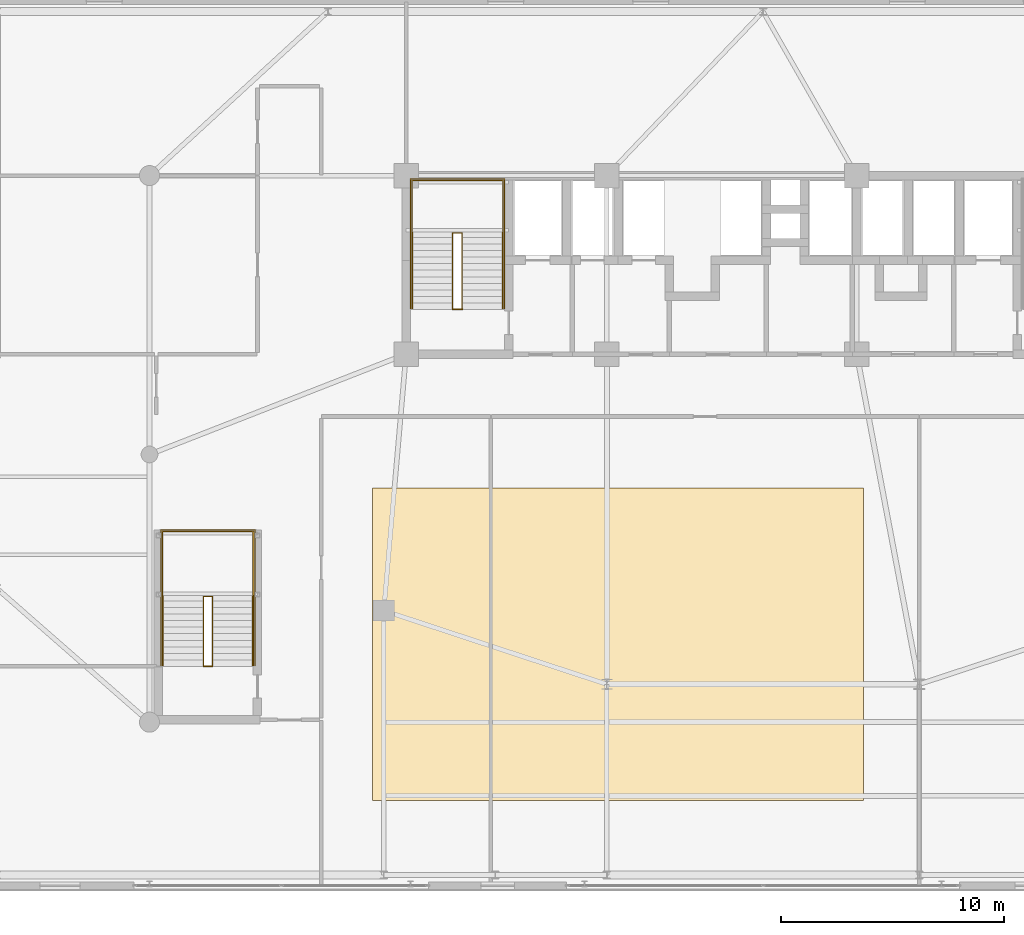
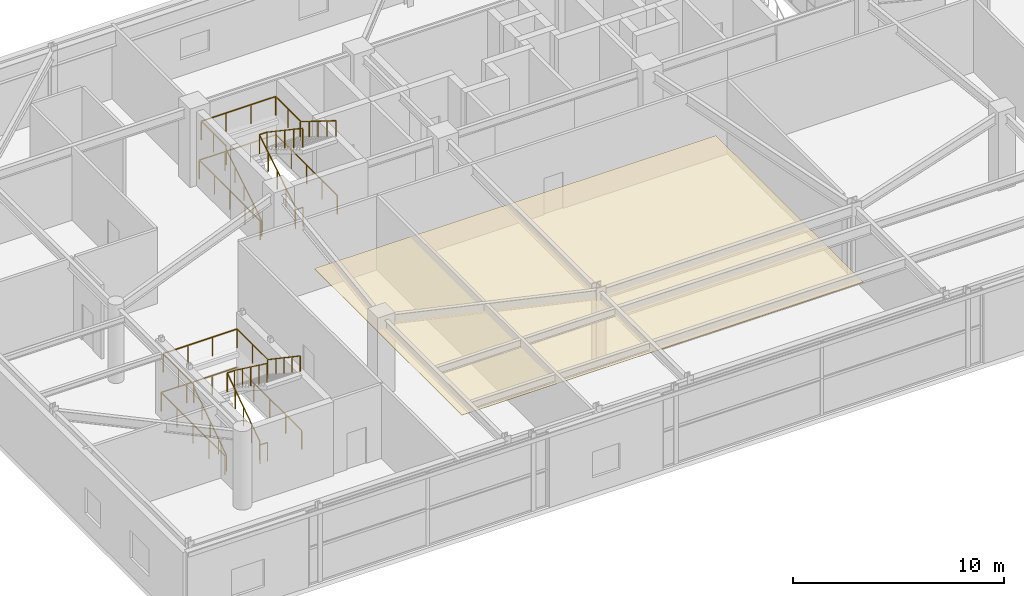
# One storey, part 24 of 26: 12 railings, 1 covering.
"""IFC4 building model written with IfcOpenShell, lengths in metres."""

from ifc_helpers import new_model, si_unit, direction, frame, origin, origin_2d, place, context, subcontext, project, spatial, rectangle, extrude, source, transform, mapped, material, layer, layer_set, type_object, element, save


model = new_model("IFC4")

# Units and contexts
model_context = context("Model", 3, precision=1e-05, world=origin(), true_north=direction((0.0, 1.0)))
body_context = subcontext(model_context, "Body", "Model", "MODEL_VIEW")
ifc_project = project(units=[si_unit("LENGTHUNIT", "METRE"), si_unit("AREAUNIT", "SQUARE_METRE"), si_unit("VOLUMEUNIT", "CUBIC_METRE"), si_unit("PLANEANGLEUNIT", "RADIAN"), si_unit("MASSUNIT", "GRAM", prefix="KILO")], contexts=[model_context])

# Site, building, storey
site_placement = place(None, origin())
site = spatial("IfcSite", under=ifc_project, at=site_placement, CompositionType="ELEMENT")
building_placement = place(site_placement, origin())
building = spatial("IfcBuilding", under=site, at=building_placement, Name="Taldren Reach Tower", CompositionType="ELEMENT")
storey_placement = place(building_placement, frame((0.0, 0.0, 8.39990234375)))
storey = spatial("IfcBuildingStorey", under=building, at=storey_placement, Name="L02", CompositionType="ELEMENT", Elevation=8.39990234375)

# Railings
ifc_material_1 = material(Name="Steel Gr 350 (C350L0)", Category="steel")
ifc_layer_1 = layer(ifc_material_1, 0.050048828125)
ifc_layer_set_1 = layer_set([ifc_layer_1], Name="Steel Gr 350 (C350L0)")
railing_type_1 = type_object("IfcRailingType", Name="RL-STAIR-GR", PredefinedType="GUARDRAIL", material=ifc_layer_set_1)
railing_1_placement = place(storey_placement, frame((19.260009765625, 29.429931640625, 2.275146484375)))
element("IfcRailing", 1, at=railing_1_placement, inside=storey, type_object=railing_type_1, Name="Stair half-landing perimeter guard ST1-L02", PredefinedType="GUARDRAIL", context=body_context, shape_type="SweptSolid", body=[
    extrude(rectangle(XDim=0.047852, YDim=0.047852, at=origin_2d()), frame((0.0, 0.0, 1.09619140625), z_axis=(0.0, 1.0, 0.0), x_axis=(-1.0, 0.0, 0.0)), (0.0, 0.0, 1.0), 2.35009765625),
    extrude(rectangle(XDim=0.047852, YDim=0.047852, at=origin_2d()), frame((0.0, 2.35009765625, 1.09619140625), z_axis=(1.0, 0.0, 0.0), x_axis=(0.0, 1.0, 0.0)), (0.0, 0.0, 1.0), 4.080078125),
    extrude(rectangle(XDim=0.047852, YDim=0.047852, at=origin_2d()), frame((4.080078125, 2.35009765625, 1.09619140625), z_axis=(0.0, -1.0, 0.0), x_axis=(1.0, 0.0, 0.0)), (0.0, 0.0, 1.0), 2.35009765625),
    extrude(rectangle(XDim=0.041992, YDim=0.041992, at=origin_2d()), origin(), (0.0, 0.0, 1.0), 1.072021484375),
    extrude(rectangle(XDim=0.041992, YDim=0.041992, at=origin_2d()), frame((0.0, 1.175048828125, 0.0)), (0.0, 0.0, 1.0), 1.072021484375),
    extrude(rectangle(XDim=0.041992, YDim=0.041992, at=origin_2d()), frame((0.0, 2.35009765625, 0.0)), (0.0, 0.0, 1.0), 1.072021484375),
    extrude(rectangle(XDim=0.041992, YDim=0.041992, at=origin_2d()), frame((1.360107421875, 2.35009765625, 0.0)), (0.0, 0.0, 1.0), 1.072021484375),
    extrude(rectangle(XDim=0.041992, YDim=0.041992, at=origin_2d()), frame((2.719970703125, 2.35009765625, 0.0)), (0.0, 0.0, 1.0), 1.072021484375),
    extrude(rectangle(XDim=0.041992, YDim=0.041992, at=origin_2d()), frame((4.080078125, 2.35009765625, 0.0)), (0.0, 0.0, 1.0), 1.072021484375),
    extrude(rectangle(XDim=0.041992, YDim=0.041992, at=origin_2d()), frame((4.080078125, 1.175048828125, 0.0)), (0.0, 0.0, 1.0), 1.072021484375),
    extrude(rectangle(XDim=0.041992, YDim=0.041992, at=origin_2d()), frame((4.080078125, 0.0, 0.0)), (0.0, 0.0, 1.0), 1.072021484375),
])
railing_2_placement = place(storey_placement, frame((21.090087890625, 26.050048828125, 0.175048828125)))
element("IfcRailing", 2, at=railing_2_placement, inside=storey, type_object=railing_type_1, Name="Stairwell inner guard ST1-L02", PredefinedType="GUARDRAIL", context=body_context, shape_type="SweptSolid", body=[
    extrude(rectangle(XDim=0.047852, YDim=0.047852, at=origin_2d()), frame((0.0, 0.0, 1.09619140625), z_axis=(0.0, 0.849387911102, 0.527769056003), x_axis=(-1.0, 0.0, 0.0)), (0.0, 0.0, 1.0), 3.979248046875),
    extrude(rectangle(XDim=0.047852, YDim=0.047852, at=origin_2d()), frame((0.0, 3.3798828125, 3.1962890625), z_axis=(1.0, 0.0, 0.0), x_axis=(0.0, 1.0, 0.0)), (0.0, 0.0, 1.0), 0.419921875),
    extrude(rectangle(XDim=0.047852, YDim=0.047852, at=origin_2d()), frame((0.419921875, 3.3798828125, 3.1962890625), z_axis=(0.0, -0.829589882859, 0.558373196221), x_axis=(1.0, 0.0, 0.0)), (0.0, 0.0, 1.0), 4.07421875),
    extrude(rectangle(XDim=0.041992, YDim=0.041992, at=origin_2d()), origin(), (0.0, 0.0, 1.0), 1.072021484375),
    extrude(rectangle(XDim=0.041992, YDim=0.041992, at=origin_2d()), frame((0.0, 0.844970703125, 0.52490234375)), (0.0, 0.0, 1.0), 1.072021484375),
    extrude(rectangle(XDim=0.041992, YDim=0.041992, at=origin_2d()), frame((0.0, 1.68994140625, 1.050048828125)), (0.0, 0.0, 1.0), 1.072021484375),
    extrude(rectangle(XDim=0.041992, YDim=0.041992, at=origin_2d()), frame((0.0, 2.534912109375, 1.5751953125)), (0.0, 0.0, 1.0), 1.072021484375),
    extrude(rectangle(XDim=0.041992, YDim=0.041992, at=origin_2d()), frame((0.0, 3.3798828125, 2.10009765625)), (0.0, 0.0, 1.0), 1.072021484375),
    extrude(rectangle(XDim=0.041992, YDim=0.041992, at=origin_2d()), frame((0.419921875, 3.3798828125, 2.10009765625)), (0.0, 0.0, 1.0), 1.072021484375),
    extrude(rectangle(XDim=0.041992, YDim=0.041992, at=origin_2d()), frame((0.419921875, 2.534912109375, 2.6689453125)), (0.0, 0.0, 1.0), 1.072021484375),
    extrude(rectangle(XDim=0.041992, YDim=0.041992, at=origin_2d()), frame((0.419921875, 1.68994140625, 3.237548828125)), (0.0, 0.0, 1.0), 1.072021484375),
    extrude(rectangle(XDim=0.041992, YDim=0.041992, at=origin_2d()), frame((0.419921875, 0.844970703125, 3.80615234375)), (0.0, 0.0, 1.0), 1.072021484375),
    extrude(rectangle(XDim=0.041992, YDim=0.041992, at=origin_2d()), frame((0.419921875, 0.0, 4.375)), (0.0, 0.0, 1.0), 1.072021484375),
])
railing_3_placement = place(storey_placement, frame((21.090087890625, 26.010009765625, 0.0)))
element("IfcRailing", 3, at=railing_3_placement, inside=storey, type_object=railing_type_1, Name="Stairwell landing slot guard ST1-L02", PredefinedType="GUARDRAIL", context=body_context, shape_type="SweptSolid", body=[
    extrude(rectangle(XDim=0.047852, YDim=0.047852, at=origin_2d()), frame((0.0, 0.0, 1.09619140625), z_axis=(1.0, 0.0, 0.0), x_axis=(0.0, 1.0, 0.0)), (0.0, 0.0, 1.0), 0.419921875),
    extrude(rectangle(XDim=0.041992, YDim=0.041992, at=origin_2d()), origin(), (0.0, 0.0, 1.0), 1.072021484375),
    extrude(rectangle(XDim=0.041992, YDim=0.041992, at=origin_2d()), frame((0.419921875, 0.0, 0.0)), (0.0, 0.0, 1.0), 1.072021484375),
])
railing_4_placement = place(storey_placement, frame((19.18994140625, 26.050048828125, 0.0)))
element("IfcRailing", 4, at=railing_4_placement, inside=storey, type_object=railing_type_1, Name="Stairwell floor opening guard ST1-L02", PredefinedType="GUARDRAIL", context=body_context, shape_type="SweptSolid", body=[
    extrude(rectangle(XDim=0.047852, YDim=0.047852, at=origin_2d()), frame((0.0, 0.0, 1.09619140625), z_axis=(0.0, 1.0, 0.0), x_axis=(-1.0, 0.0, 0.0)), (0.0, 0.0, 1.0), 5.800048828125),
    extrude(rectangle(XDim=0.047852, YDim=0.047852, at=origin_2d()), frame((0.0, 5.800048828125, 1.09619140625), z_axis=(1.0, 0.0, 0.0), x_axis=(0.0, 1.0, 0.0)), (0.0, 0.0, 1.0), 4.219970703125),
    extrude(rectangle(XDim=0.047852, YDim=0.047852, at=origin_2d()), frame((4.219970703125, 5.800048828125, 1.09619140625), z_axis=(0.0, -1.0, 0.0), x_axis=(1.0, 0.0, 0.0)), (0.0, 0.0, 1.0), 5.800048828125),
    extrude(rectangle(XDim=0.041992, YDim=0.041992, at=origin_2d()), origin(), (0.0, 0.0, 1.0), 1.072021484375),
    extrude(rectangle(XDim=0.041992, YDim=0.041992, at=origin_2d()), frame((0.0, 1.449951171875, 0.0)), (0.0, 0.0, 1.0), 1.072021484375),
    extrude(rectangle(XDim=0.041992, YDim=0.041992, at=origin_2d()), frame((0.0, 2.89990234375, 0.0)), (0.0, 0.0, 1.0), 1.072021484375),
    extrude(rectangle(XDim=0.041992, YDim=0.041992, at=origin_2d()), frame((0.0, 4.35009765625, 0.0)), (0.0, 0.0, 1.0), 1.072021484375),
    extrude(rectangle(XDim=0.041992, YDim=0.041992, at=origin_2d()), frame((0.0, 5.800048828125, 0.0)), (0.0, 0.0, 1.0), 1.072021484375),
    extrude(rectangle(XDim=0.041992, YDim=0.041992, at=origin_2d()), frame((1.40673828125, 5.800048828125, 0.0)), (0.0, 0.0, 1.0), 1.072021484375),
    extrude(rectangle(XDim=0.041992, YDim=0.041992, at=origin_2d()), frame((2.813232421875, 5.800048828125, 0.0)), (0.0, 0.0, 1.0), 1.072021484375),
    extrude(rectangle(XDim=0.041992, YDim=0.041992, at=origin_2d()), frame((4.219970703125, 5.800048828125, 0.0)), (0.0, 0.0, 1.0), 1.072021484375),
    extrude(rectangle(XDim=0.041992, YDim=0.041992, at=origin_2d()), frame((4.219970703125, 4.35009765625, 0.0)), (0.0, 0.0, 1.0), 1.072021484375),
    extrude(rectangle(XDim=0.041992, YDim=0.041992, at=origin_2d()), frame((4.219970703125, 2.89990234375, 0.0)), (0.0, 0.0, 1.0), 1.072021484375),
    extrude(rectangle(XDim=0.041992, YDim=0.041992, at=origin_2d()), frame((4.219970703125, 1.449951171875, 0.0)), (0.0, 0.0, 1.0), 1.072021484375),
    extrude(rectangle(XDim=0.041992, YDim=0.041992, at=origin_2d()), frame((4.219970703125, 0.0, 0.0)), (0.0, 0.0, 1.0), 1.072021484375),
])
railing_5_placement = place(storey_placement, frame((8.090087890625, 13.135009765625, 2.275146484375)))
element("IfcRailing", 5, at=railing_5_placement, inside=storey, type_object=railing_type_1, Name="Stair half-landing perimeter guard ST3-L02", PredefinedType="GUARDRAIL", context=body_context, shape_type="SweptSolid", body=[
    extrude(rectangle(XDim=0.047852, YDim=0.047852, at=origin_2d()), frame((0.0, 0.0, 1.09619140625), z_axis=(0.0, 1.0, 0.0), x_axis=(-1.0, 0.0, 0.0)), (0.0, 0.0, 1.0), 2.905029296875),
    extrude(rectangle(XDim=0.047852, YDim=0.047852, at=origin_2d()), frame((0.0, 2.905029296875, 1.09619140625), z_axis=(1.0, 0.0, 0.0), x_axis=(0.0, 1.0, 0.0)), (0.0, 0.0, 1.0), 4.059814453125),
    extrude(rectangle(XDim=0.047852, YDim=0.047852, at=origin_2d()), frame((4.059814453125, 2.905029296875, 1.09619140625), z_axis=(0.0, -1.0, 0.0), x_axis=(1.0, 0.0, 0.0)), (0.0, 0.0, 1.0), 2.905029296875),
    extrude(rectangle(XDim=0.041992, YDim=0.041992, at=origin_2d()), origin(), (0.0, 0.0, 1.0), 1.072021484375),
    extrude(rectangle(XDim=0.041992, YDim=0.041992, at=origin_2d()), frame((0.0, 1.45263671875, 0.0)), (0.0, 0.0, 1.0), 1.072021484375),
    extrude(rectangle(XDim=0.041992, YDim=0.041992, at=origin_2d()), frame((0.0, 2.905029296875, 0.0)), (0.0, 0.0, 1.0), 1.072021484375),
    extrude(rectangle(XDim=0.041992, YDim=0.041992, at=origin_2d()), frame((1.353271484375, 2.905029296875, 0.0)), (0.0, 0.0, 1.0), 1.072021484375),
    extrude(rectangle(XDim=0.041992, YDim=0.041992, at=origin_2d()), frame((2.70654296875, 2.905029296875, 0.0)), (0.0, 0.0, 1.0), 1.072021484375),
    extrude(rectangle(XDim=0.041992, YDim=0.041992, at=origin_2d()), frame((4.059814453125, 2.905029296875, 0.0)), (0.0, 0.0, 1.0), 1.072021484375),
    extrude(rectangle(XDim=0.041992, YDim=0.041992, at=origin_2d()), frame((4.059814453125, 1.45263671875, 0.0)), (0.0, 0.0, 1.0), 1.072021484375),
    extrude(rectangle(XDim=0.041992, YDim=0.041992, at=origin_2d()), frame((4.059814453125, 0.0, 0.0)), (0.0, 0.0, 1.0), 1.072021484375),
])
railing_6_placement = place(storey_placement, frame((9.919921875, 10.050048828125, 0.189697265625)))
element("IfcRailing", 6, at=railing_6_placement, inside=storey, type_object=railing_type_1, Name="Stairwell inner guard ST3-L02", PredefinedType="GUARDRAIL", context=body_context, shape_type="SweptSolid", body=[
    extrude(rectangle(XDim=0.047852, YDim=0.047852, at=origin_2d()), frame((0.0, 0.0, 1.09619140625), z_axis=(0.0, 0.828462357703, 0.560044749881), x_axis=(-1.0, 0.0, 0.0)), (0.0, 0.0, 1.0), 3.7236328125),
    extrude(rectangle(XDim=0.047852, YDim=0.047852, at=origin_2d()), frame((0.0, 3.0849609375, 3.181640625), z_axis=(1.0, 0.0, 0.0), x_axis=(0.0, 1.0, 0.0)), (0.0, 0.0, 1.0), 0.400146484375),
    extrude(rectangle(XDim=0.047852, YDim=0.047852, at=origin_2d()), frame((0.400146484375, 3.0849609375, 3.181640625), z_axis=(0.0, -0.804834854372, 0.59349882661), x_axis=(1.0, 0.0, 0.0)), (0.0, 0.0, 1.0), 3.8330078125),
    extrude(rectangle(XDim=0.041992, YDim=0.041992, at=origin_2d()), origin(), (0.0, 0.0, 1.0), 1.072021484375),
    extrude(rectangle(XDim=0.041992, YDim=0.041992, at=origin_2d()), frame((0.0, 0.771240234375, 0.521484375)), (0.0, 0.0, 1.0), 1.072021484375),
    extrude(rectangle(XDim=0.041992, YDim=0.041992, at=origin_2d()), frame((0.0, 1.54248046875, 1.042724609375)), (0.0, 0.0, 1.0), 1.072021484375),
    extrude(rectangle(XDim=0.041992, YDim=0.041992, at=origin_2d()), frame((0.0, 2.313720703125, 1.56396484375)), (0.0, 0.0, 1.0), 1.072021484375),
    extrude(rectangle(XDim=0.041992, YDim=0.041992, at=origin_2d()), frame((0.0, 3.0849609375, 2.08544921875)), (0.0, 0.0, 1.0), 1.072021484375),
    extrude(rectangle(XDim=0.041992, YDim=0.041992, at=origin_2d()), frame((0.400146484375, 3.0849609375, 2.08544921875)), (0.0, 0.0, 1.0), 1.072021484375),
    extrude(rectangle(XDim=0.041992, YDim=0.041992, at=origin_2d()), frame((0.400146484375, 2.313720703125, 2.654296875)), (0.0, 0.0, 1.0), 1.072021484375),
    extrude(rectangle(XDim=0.041992, YDim=0.041992, at=origin_2d()), frame((0.400146484375, 1.54248046875, 3.222900390625)), (0.0, 0.0, 1.0), 1.072021484375),
    extrude(rectangle(XDim=0.041992, YDim=0.041992, at=origin_2d()), frame((0.400146484375, 0.771240234375, 3.79150390625)), (0.0, 0.0, 1.0), 1.072021484375),
    extrude(rectangle(XDim=0.041992, YDim=0.041992, at=origin_2d()), frame((0.400146484375, 0.0, 4.3603515625)), (0.0, 0.0, 1.0), 1.072021484375),
])
railing_7_placement = place(storey_placement, frame((9.919921875, 10.010009765625, 0.0)))
element("IfcRailing", 7, at=railing_7_placement, inside=storey, type_object=railing_type_1, Name="Stairwell landing slot guard ST3-L02", PredefinedType="GUARDRAIL", context=body_context, shape_type="SweptSolid", body=[
    extrude(rectangle(XDim=0.047852, YDim=0.047852, at=origin_2d()), frame((0.0, 0.0, 1.09619140625), z_axis=(1.0, 0.0, 0.0), x_axis=(0.0, 1.0, 0.0)), (0.0, 0.0, 1.0), 0.400146484375),
    extrude(rectangle(XDim=0.041992, YDim=0.041992, at=origin_2d()), origin(), (0.0, 0.0, 1.0), 1.072021484375),
    extrude(rectangle(XDim=0.041992, YDim=0.041992, at=origin_2d()), frame((0.400146484375, 0.0, 0.0)), (0.0, 0.0, 1.0), 1.072021484375),
])
railing_8_placement = place(storey_placement, frame((8.02001953125, 10.050048828125, 0.0)))
element("IfcRailing", 8, at=railing_8_placement, inside=storey, type_object=railing_type_1, Name="Stairwell floor opening guard ST3-L02", PredefinedType="GUARDRAIL", context=body_context, shape_type="SweptSolid", body=[
    extrude(rectangle(XDim=0.047852, YDim=0.047852, at=origin_2d()), frame((0.0, 0.0, 1.09619140625), z_axis=(0.0, 1.0, 0.0), x_axis=(-1.0, 0.0, 0.0)), (0.0, 0.0, 1.0), 6.06005859375),
    extrude(rectangle(XDim=0.047852, YDim=0.047852, at=origin_2d()), frame((0.0, 6.06005859375, 1.09619140625), z_axis=(1.0, 0.0, 0.0), x_axis=(0.0, 1.0, 0.0)), (0.0, 0.0, 1.0), 4.199951171875),
    extrude(rectangle(XDim=0.047852, YDim=0.047852, at=origin_2d()), frame((4.199951171875, 6.06005859375, 1.09619140625), z_axis=(0.0, -1.0, 0.0), x_axis=(1.0, 0.0, 0.0)), (0.0, 0.0, 1.0), 6.06005859375),
    extrude(rectangle(XDim=0.041992, YDim=0.041992, at=origin_2d()), origin(), (0.0, 0.0, 1.0), 1.072021484375),
    extrude(rectangle(XDim=0.041992, YDim=0.041992, at=origin_2d()), frame((0.0, 1.51513671875, 0.0)), (0.0, 0.0, 1.0), 1.072021484375),
    extrude(rectangle(XDim=0.041992, YDim=0.041992, at=origin_2d()), frame((0.0, 3.030029296875, 0.0)), (0.0, 0.0, 1.0), 1.072021484375),
    extrude(rectangle(XDim=0.041992, YDim=0.041992, at=origin_2d()), frame((0.0, 4.544921875, 0.0)), (0.0, 0.0, 1.0), 1.072021484375),
    extrude(rectangle(XDim=0.041992, YDim=0.041992, at=origin_2d()), frame((0.0, 6.06005859375, 0.0)), (0.0, 0.0, 1.0), 1.072021484375),
    extrude(rectangle(XDim=0.041992, YDim=0.041992, at=origin_2d()), frame((1.39990234375, 6.06005859375, 0.0)), (0.0, 0.0, 1.0), 1.072021484375),
    extrude(rectangle(XDim=0.041992, YDim=0.041992, at=origin_2d()), frame((2.800048828125, 6.06005859375, 0.0)), (0.0, 0.0, 1.0), 1.072021484375),
    extrude(rectangle(XDim=0.041992, YDim=0.041992, at=origin_2d()), frame((4.199951171875, 6.06005859375, 0.0)), (0.0, 0.0, 1.0), 1.072021484375),
    extrude(rectangle(XDim=0.041992, YDim=0.041992, at=origin_2d()), frame((4.199951171875, 4.544921875, 0.0)), (0.0, 0.0, 1.0), 1.072021484375),
    extrude(rectangle(XDim=0.041992, YDim=0.041992, at=origin_2d()), frame((4.199951171875, 3.030029296875, 0.0)), (0.0, 0.0, 1.0), 1.072021484375),
    extrude(rectangle(XDim=0.041992, YDim=0.041992, at=origin_2d()), frame((4.199951171875, 1.51513671875, 0.0)), (0.0, 0.0, 1.0), 1.072021484375),
    extrude(rectangle(XDim=0.041992, YDim=0.041992, at=origin_2d()), frame((4.199951171875, 0.0, 0.0)), (0.0, 0.0, 1.0), 1.072021484375),
])
ifc_material_2 = material(Name="Stainless Steel Gr 316", Category="steel")
ifc_layer_2 = layer(ifc_material_2, 0.048095703125)
ifc_layer_set_2 = layer_set([ifc_layer_2], Name="Stainless Steel Gr 316")
railing_type_2 = type_object("IfcRailingType", Name="RL-STAIR-HR", PredefinedType="HANDRAIL", material=ifc_layer_set_2)
railing_9_placement = place(storey_placement, frame((19.27001953125, 26.050048828125, 0.175048828125)))
element("IfcRailing", 9, at=railing_9_placement, inside=storey, type_object=railing_type_2, Name="Stair flight handrail ST1-L02-1", PredefinedType="HANDRAIL", context=body_context, shape_type="SweptSolid", body=[
    extrude(rectangle(XDim=0.047852, YDim=0.047852, at=origin_2d()), frame((0.0, 0.0, 0.89599609375), z_axis=(0.0, 0.849387911102, 0.527769056003), x_axis=(-1.0, 0.0, 0.0)), (0.0, 0.0, 1.0), 3.979248046875),
    extrude(rectangle(XDim=0.041992, YDim=0.041992, at=origin_2d()), origin(), (0.0, 0.0, 1.0), 0.871826171875),
    extrude(rectangle(XDim=0.041992, YDim=0.041992, at=origin_2d()), frame((0.0, 0.844970703125, 0.52490234375)), (0.0, 0.0, 1.0), 0.871826171875),
    extrude(rectangle(XDim=0.041992, YDim=0.041992, at=origin_2d()), frame((0.0, 1.68994140625, 1.050048828125)), (0.0, 0.0, 1.0), 0.871826171875),
    extrude(rectangle(XDim=0.041992, YDim=0.041992, at=origin_2d()), frame((0.0, 2.534912109375, 1.5751953125)), (0.0, 0.0, 1.0), 0.871826171875),
    extrude(rectangle(XDim=0.041992, YDim=0.041992, at=origin_2d()), frame((0.0, 3.3798828125, 2.10009765625)), (0.0, 0.0, 1.0), 0.871826171875),
])
railing_10_placement = place(storey_placement, frame((23.330078125, 29.429931640625, 2.4501953125)))
element("IfcRailing", 10, at=railing_10_placement, inside=storey, type_object=railing_type_2, Name="Stair flight handrail ST1-L02-2", PredefinedType="HANDRAIL", context=body_context, shape_type="SweptSolid", body=[
    extrude(rectangle(XDim=0.047852, YDim=0.047852, at=origin_2d()), frame((0.0, 0.0, 0.89599609375), z_axis=(0.0, -0.849415414752, 0.527724789243), x_axis=(1.0, 0.0, 0.0)), (0.0, 0.0, 1.0), 3.97900390625),
    extrude(rectangle(XDim=0.041992, YDim=0.041992, at=origin_2d()), origin(), (0.0, 0.0, 1.0), 0.871826171875),
    extrude(rectangle(XDim=0.041992, YDim=0.041992, at=origin_2d()), frame((0.0, -0.844970703125, 0.52490234375)), (0.0, 0.0, 1.0), 0.871826171875),
    extrude(rectangle(XDim=0.041992, YDim=0.041992, at=origin_2d()), frame((0.0, -1.68994140625, 1.0498046875)), (0.0, 0.0, 1.0), 0.871826171875),
    extrude(rectangle(XDim=0.041992, YDim=0.041992, at=origin_2d()), frame((0.0, -2.534912109375, 1.574951171875)), (0.0, 0.0, 1.0), 0.871826171875),
    extrude(rectangle(XDim=0.041992, YDim=0.041992, at=origin_2d()), frame((0.0, -3.3798828125, 2.099853515625)), (0.0, 0.0, 1.0), 0.871826171875),
])
railing_11_placement = place(storey_placement, frame((8.10009765625, 10.050048828125, 0.189697265625)))
element("IfcRailing", 11, at=railing_11_placement, inside=storey, type_object=railing_type_2, Name="Stair flight handrail ST3-L02-1", PredefinedType="HANDRAIL", context=body_context, shape_type="SweptSolid", body=[
    extrude(rectangle(XDim=0.047852, YDim=0.047852, at=origin_2d()), frame((0.0, 0.0, 0.89599609375), z_axis=(0.0, 0.828462357703, 0.560044749881), x_axis=(-1.0, 0.0, 0.0)), (0.0, 0.0, 1.0), 3.7236328125),
    extrude(rectangle(XDim=0.041992, YDim=0.041992, at=origin_2d()), origin(), (0.0, 0.0, 1.0), 0.871826171875),
    extrude(rectangle(XDim=0.041992, YDim=0.041992, at=origin_2d()), frame((0.0, 0.771240234375, 0.521484375)), (0.0, 0.0, 1.0), 0.871826171875),
    extrude(rectangle(XDim=0.041992, YDim=0.041992, at=origin_2d()), frame((0.0, 1.54248046875, 1.042724609375)), (0.0, 0.0, 1.0), 0.871826171875),
    extrude(rectangle(XDim=0.041992, YDim=0.041992, at=origin_2d()), frame((0.0, 2.313720703125, 1.56396484375)), (0.0, 0.0, 1.0), 0.871826171875),
    extrude(rectangle(XDim=0.041992, YDim=0.041992, at=origin_2d()), frame((0.0, 3.0849609375, 2.08544921875)), (0.0, 0.0, 1.0), 0.871826171875),
])
railing_12_placement = place(storey_placement, frame((12.139892578125, 13.135009765625, 2.464599609375)))
element("IfcRailing", 12, at=railing_12_placement, inside=storey, type_object=railing_type_2, Name="Stair flight handrail ST3-L02-2", PredefinedType="HANDRAIL", context=body_context, shape_type="SweptSolid", body=[
    extrude(rectangle(XDim=0.047852, YDim=0.047852, at=origin_2d()), frame((0.0, 0.0, 0.89599609375), z_axis=(0.0, -0.828462357703, 0.560044749881), x_axis=(1.0, 0.0, 0.0)), (0.0, 0.0, 1.0), 3.7236328125),
    extrude(rectangle(XDim=0.041992, YDim=0.041992, at=origin_2d()), origin(), (0.0, 0.0, 1.0), 0.871826171875),
    extrude(rectangle(XDim=0.041992, YDim=0.041992, at=origin_2d()), frame((0.0, -0.771240234375, 0.521484375)), (0.0, 0.0, 1.0), 0.871826171875),
    extrude(rectangle(XDim=0.041992, YDim=0.041992, at=origin_2d()), frame((0.0, -1.54248046875, 1.042724609375)), (0.0, 0.0, 1.0), 0.871826171875),
    extrude(rectangle(XDim=0.041992, YDim=0.041992, at=origin_2d()), frame((0.0, -2.313720703125, 1.56396484375)), (0.0, 0.0, 1.0), 0.871826171875),
    extrude(rectangle(XDim=0.041992, YDim=0.041992, at=origin_2d()), frame((0.0, -3.0849609375, 2.08544921875)), (0.0, 0.0, 1.0), 0.871826171875),
])

# Covering
ifc_material_3 = material(Name="Perforated Acoustic Mineral-Fibre Ceiling Tile")
ifc_layer_3 = layer(ifc_material_3, 0.02490234375)
ifc_layer_set_3 = layer_set([ifc_layer_3], Name="Perforated Acoustic Mineral-Fibre Ceiling Tile")
covering_type = type_object("IfcCoveringType", Name="CV-CEIL-025", PredefinedType="CEILING", material=ifc_layer_set_3)
shared_shape = source(origin(), body_context, "Body", "SweptSolid", [
    extrude(rectangle(XDim=22.0, YDim=14.0, at=origin_2d()), origin(), (0.0, 0.0, 1.0), 0.02490234375),
])
covering_placement = place(storey_placement, frame((28.5, 11.0, 3.78759765625), z_axis=(0.0, 0.0, 1.0), x_axis=(1.0, 0.0, 0.0)))
element("IfcCovering", 13, at=covering_placement, inside=storey, type_object=covering_type, Name="Suspended acoustic ceiling L02-05", PredefinedType="CEILING", context=body_context, shape_type="MappedRepresentation", body=[
    mapped(shared_shape, transform((0.0, 0.0, 0.0), scale=1.0)),
])

save(model, "model.ifc")
